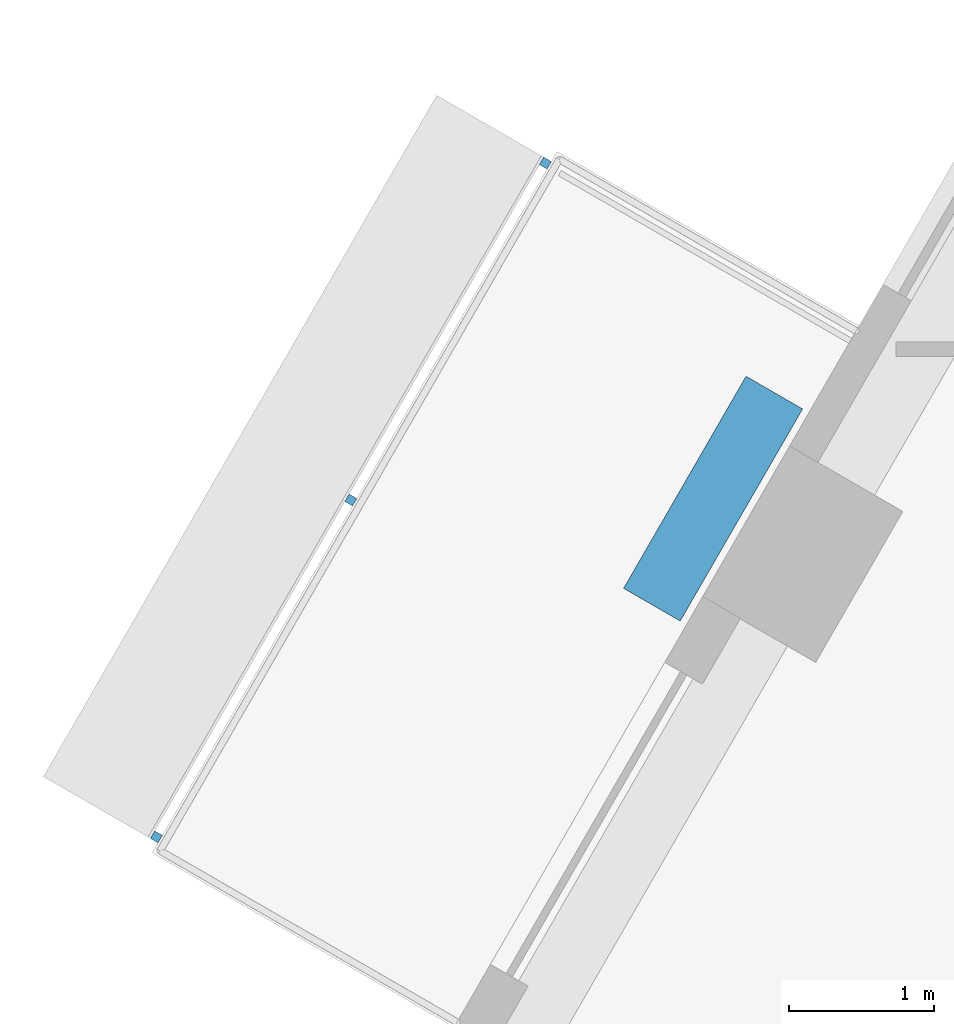
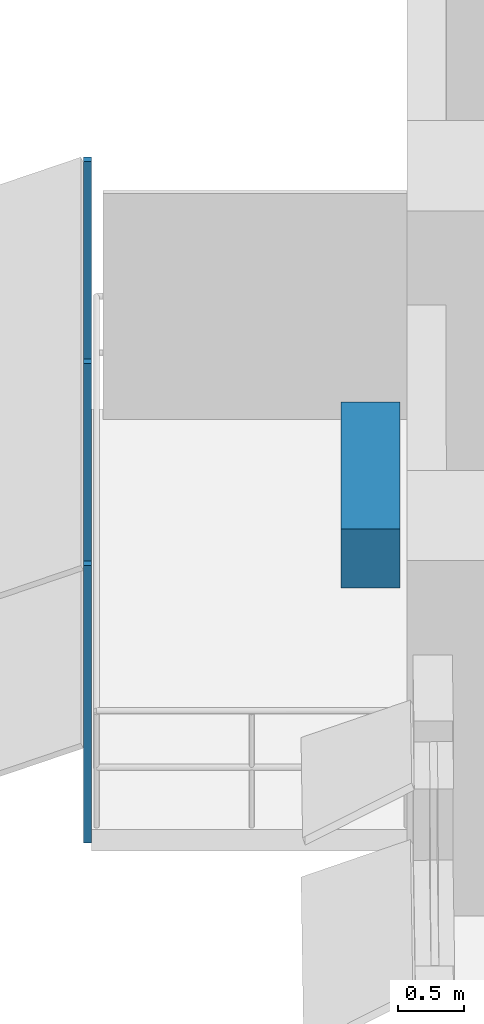
# One storey, part 13 of 17: 4 discrete accessories.
"""IFC4 building model written with IfcOpenShell, lengths in metres."""

import ifcopenshell
import ifcopenshell.guid

model = None  # the IFC model being written
_history = None  # IfcOwnerHistory: only IFC2X3 demands one
_inside = {}  # id of a spatial element -> (the spatial element, [elements in it])
_under = {}  # id of a project, library or spatial element -> (it, [spatial elements below it])
_declared = {}  # id of a project -> (the project, [libraries it declares])
_typed = {}  # id of a type object -> (the type object, [elements of that type])
_made_of = {}  # id of a material, layer set ... -> (it, [elements and type objects made of it])


def new_model(schema):
    """Start an empty IFC model of exactly this schema.

    Asked for "IFC4X3", IfcOpenShell would pick the latest addendum, in which some entities
    have other attributes; the version numbers below select the first issue.
    IFC2X3 requires an IfcOwnerHistory on every rooted entity: one is made here for all.
    """
    global model, _history
    if schema == "IFC4X3":
        model = ifcopenshell.file(schema_version=(4, 3, 0, 0))
    else:
        model = ifcopenshell.file(schema=schema)
    _inside.clear()
    _under.clear()
    _declared.clear()
    _typed.clear()
    _made_of.clear()
    _history = None
    if model.schema == "IFC2X3":
        org = make("IfcOrganization", Name="unknown")
        user = make(
            "IfcPersonAndOrganization",
            ThePerson=make("IfcPerson", FamilyName="unknown"),
            TheOrganization=org,
        )
        app = make(
            "IfcApplication",
            ApplicationDeveloper=org,
            Version="unknown",
            ApplicationFullName="unknown",
            ApplicationIdentifier="unknown",
        )
        _history = make(
            "IfcOwnerHistory",
            OwningUser=user,
            OwningApplication=app,
            ChangeAction="ADDED",
            CreationDate=0,
        )
    return model


def make(cls, **values):
    """One entity of the class cls with the attributes given. An attribute that is None is left unset."""
    return model.create_entity(
        cls, **{name: value for name, value in values.items() if value is not None}
    )


def rooted(cls, **values):
    """An entity with a GlobalId (a new one), such as an element, a storey or a relation."""
    return make(cls, GlobalId=ifcopenshell.guid.new(), OwnerHistory=_history, **values)


def si_unit(unit_type, name, prefix=None):
    """IfcSIUnit, for example si_unit("LENGTHUNIT", "METRE", prefix="MILLI")."""
    return make("IfcSIUnit", UnitType=unit_type, Prefix=prefix, Name=name)


def assignment(units):
    """IfcUnitAssignment: the units of a project."""
    return None if units is None else make("IfcUnitAssignment", Units=units)


def point(xyz):
    """IfcCartesianPoint."""
    return None if xyz is None else make("IfcCartesianPoint", Coordinates=xyz)


def direction(xyz):
    """IfcDirection."""
    return None if xyz is None else make("IfcDirection", DirectionRatios=xyz)


def frame(location, z_axis=None, x_axis=None):
    """IfcAxis2Placement3D, a coordinate frame: its origin and axes. An axis left out is left unset."""
    return make(
        "IfcAxis2Placement3D",
        Location=point(location),
        Axis=direction(z_axis),
        RefDirection=direction(x_axis),
    )


def frame_2d(location, x_axis=None):
    """IfcAxis2Placement2D, a coordinate frame in the plane: its origin and x axis."""
    return make(
        "IfcAxis2Placement2D", Location=point(location), RefDirection=direction(x_axis)
    )


def origin():
    """The frame at (0, 0, 0) with its axes left unset."""
    return frame((0.0, 0.0, 0.0))


def origin_2d():
    """The frame at (0, 0) in the plane with its x axis left unset."""
    return frame_2d((0.0, 0.0))


def place(relative_to, where):
    """IfcLocalPlacement: puts the frame where relative to a parent placement (None: the world)."""
    return make(
        "IfcLocalPlacement", PlacementRelTo=relative_to, RelativePlacement=where
    )


def context(
    kind, dimensions, precision=None, world=None, true_north=None, identifier=None
):
    """IfcGeometricRepresentationContext, for example the 3D "Model" context."""
    return make(
        "IfcGeometricRepresentationContext",
        ContextIdentifier=identifier,
        ContextType=kind,
        CoordinateSpaceDimension=dimensions,
        Precision=precision,
        WorldCoordinateSystem=world,
        TrueNorth=true_north,
    )


def subcontext(parent, identifier, kind, view, scale=None):
    """IfcGeometricRepresentationSubContext, for example "Body" below "Model"."""
    return make(
        "IfcGeometricRepresentationSubContext",
        ContextIdentifier=identifier,
        ContextType=kind,
        ParentContext=parent,
        TargetScale=scale,
        TargetView=view,
    )


def project(units=None, contexts=None):
    """IfcProject with its units and contexts."""
    return rooted(
        "IfcProject",
        Name="project",
        RepresentationContexts=contexts,
        UnitsInContext=assignment(units),
    )


def spatial(cls, under=None, at=None, **own):
    """A site, building, storey or space (cls), placed at a placement, below another one or the project."""
    s = rooted(cls, ObjectPlacement=at, **own)
    if under is not None:
        _under.setdefault(under.id(), (under, []))[1].append(s)
    return s


def profile(cls, at=None, kind="AREA", **sizes):
    """A parametric profile (cls). Its sizes go by their IFC names, for example OverallWidth=200.0."""
    return make(cls, ProfileType=kind, Position=at, **sizes)


def rectangle(**sizes):
    """IfcRectangleProfileDef."""
    return profile("IfcRectangleProfileDef", **sizes)


def extrude(swept, where, along, depth):
    """IfcExtrudedAreaSolid: the profile swept, set in the frame where, extruded along a direction by depth."""
    return make(
        "IfcExtrudedAreaSolid",
        SweptArea=swept,
        Position=where,
        ExtrudedDirection=direction(along),
        Depth=depth,
    )


def shape(context_of_items, identifier, shape_type, items):
    """IfcShapeRepresentation: the items that make up one representation, for example the "Body"."""
    return make(
        "IfcShapeRepresentation",
        ContextOfItems=context_of_items,
        RepresentationIdentifier=identifier,
        RepresentationType=shape_type,
        Items=items,
    )


def material(Name=None, Category=None):
    """IfcMaterial."""
    return make("IfcMaterial", Name=Name, Category=Category)


def made_of(thing, what):
    """Note that an element or type object is made of a material, layer set ...; save() writes the relation."""
    if what is not None:
        _made_of.setdefault(what.id(), (what, []))[1].append(thing)
    return thing


def type_object(cls, material=None, **own):
    """A type object (cls), such as IfcWallType, which elements share."""
    return made_of(rooted(cls, **own), material)


def element(
    cls,
    number,
    at=None,
    inside=None,
    cuts=None,
    type_object=None,
    material=None,
    context=None,
    identifier="Body",
    shape_type=None,
    held_by="IfcProductDefinitionShape",
    body=None,
    shapes=None,
    **own,
):
    """One element of the class cls, such as IfcWall. Its Tag is "e" and its number.

    at: its placement. inside: the storey or other place that contains it. cuts: it is an
    opening in that element (IfcRelVoidsElement). A single representation is given by context,
    identifier, shape_type and body (its items); several are given by shapes. held_by: the class
    of the entity that holds the representations. save() writes the other relations.
    """
    e = rooted(cls, Tag="e%d" % number, ObjectPlacement=at, **own)
    if body is not None:
        shapes = [shape(context, identifier, shape_type, body)]
    if shapes is not None:
        e.Representation = make(held_by, Representations=shapes)
    if inside is not None:
        _inside.setdefault(inside.id(), (inside, []))[1].append(e)
    if cuts is not None:
        rooted(
            "IfcRelVoidsElement", RelatingBuildingElement=cuts, RelatedOpeningElement=e
        )
    if type_object is not None:
        _typed.setdefault(type_object.id(), (type_object, []))[1].append(e)
    return made_of(e, material)


def aggregate(whole, parts):
    """IfcRelAggregates: a whole, such as a stair, and the parts it consists of."""
    return rooted("IfcRelAggregates", RelatingObject=whole, RelatedObjects=parts)


def save(model, path):
    """Write the relations noted so far, then the file.

    IfcRelAggregates (storeys below a building ...), IfcRelContainedInSpatialStructure (elements
    in a storey), IfcRelDefinesByType, IfcRelAssociatesMaterial and IfcRelDeclares: one each for
    every whole, place, type object, material and project.
    """
    for whole, parts in _under.values():
        aggregate(whole, parts)
    for where, things in _inside.values():
        rooted(
            "IfcRelContainedInSpatialStructure",
            RelatedElements=things,
            RelatingStructure=where,
        )
    for kind, things in _typed.values():
        rooted("IfcRelDefinesByType", RelatedObjects=things, RelatingType=kind)
    for what, things in _made_of.values():
        rooted("IfcRelAssociatesMaterial", RelatedObjects=things, RelatingMaterial=what)
    for by, libraries in _declared.values():
        rooted("IfcRelDeclares", RelatingContext=by, RelatedDefinitions=libraries)
    model.write(path)


model = new_model("IFC4")

# Units and contexts
model_context = context("Model", 3, precision=1e-05, world=origin(), true_north=direction((0.0, 1.0)))
body_context = subcontext(model_context, "Body", "Model", "MODEL_VIEW")
ifc_project = project(units=[si_unit("LENGTHUNIT", "METRE"), si_unit("AREAUNIT", "SQUARE_METRE"), si_unit("VOLUMEUNIT", "CUBIC_METRE"), si_unit("PLANEANGLEUNIT", "RADIAN"), si_unit("MASSUNIT", "GRAM", prefix="KILO")], contexts=[model_context])

# Site, building, storey
site_placement = place(None, origin())
site = spatial("IfcSite", under=ifc_project, at=site_placement, CompositionType="ELEMENT")
building_placement = place(site_placement, origin())
building = spatial("IfcBuilding", under=site, at=building_placement, Name="Nakaniwa Court", CompositionType="ELEMENT")
storey_placement = place(building_placement, frame((0.0, 0.0, 209.699951171875)))
storey = spatial("IfcBuildingStorey", under=building, at=storey_placement, Name="L55", CompositionType="ELEMENT", Elevation=209.699951171875)

# Discrete accessories
ifc_material_1 = material(Name="Black powder-coated steel bracket S275", Category="steel")
discrete_accessory_type_1 = type_object("IfcDiscreteAccessoryType", Name="Black metal louvre bracket", PredefinedType="BRACKET", material=ifc_material_1)
for number, where, z_axis, x_axis, name in (
    (1, (59.089599609375, 93.9423828125, -0.229736328125), (0.0, 0.0, 1.0), (-0.499986396443, -0.866033257659, 0.0), "L55 louvre bracket 01 1"),
    (2, (57.750732421875, 91.623291015625, -0.229736328125), (0.0, 0.0, 1.0), (-0.499986396443, -0.866033257659, 0.0), "L55 louvre bracket 01 2"),
    (3, (56.412109375, 89.30419921875, -0.229736328125), (0.0, 0.0, 1.0), (-0.499986396443, -0.866033257659, 0.0), "L55 louvre bracket 01 3"),
):
    element("IfcDiscreteAccessory", number, at=place(storey_placement, frame(where, z_axis=z_axis, x_axis=x_axis)), inside=storey, type_object=discrete_accessory_type_1, Name=name, PredefinedType="BRACKET", context=body_context, shape_type="SweptSolid", body=[
        extrude(rectangle(XDim=0.06005859375, YDim=0.06005859375, at=origin_2d()), origin(), (0.0, 0.0, 1.0), 2.5751953125),
    ])
ifc_material_2 = material(Name="Precast concrete C40/50 planter with planted soil", Category="concrete")
discrete_accessory_type_2 = type_object("IfcDiscreteAccessoryType", Name="Planter box charcoal concrete", PredefinedType="USERDEFINED", material=ifc_material_2)
discrete_accessory_placement = place(storey_placement, frame((60.244384765625, 91.632568359375, -0.0498046875), z_axis=(0.0, 0.0, 1.0), x_axis=(-0.499986396443, -0.866033257659, 0.0)))
element("IfcDiscreteAccessory", 4, at=discrete_accessory_placement, inside=storey, type_object=discrete_accessory_type_2, Name="L55 balcony PLANTER 01", ObjectType="PLANTER", PredefinedType="USERDEFINED", context=body_context, shape_type="SweptSolid", body=[
    extrude(rectangle(XDim=1.685791015625, YDim=0.449951171875, at=origin_2d()), origin(), (0.0, 0.0, 1.0), 0.550048828125),
])

save(model, "model.ifc")
